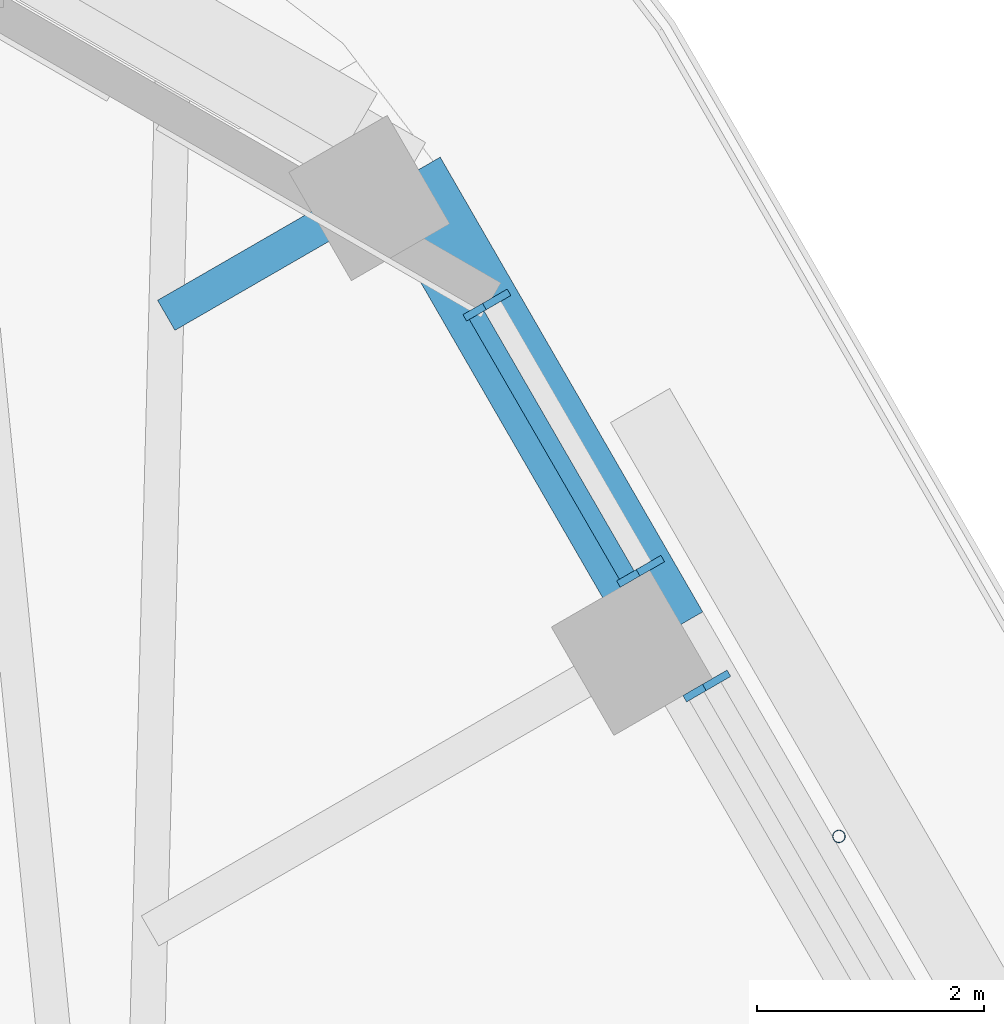
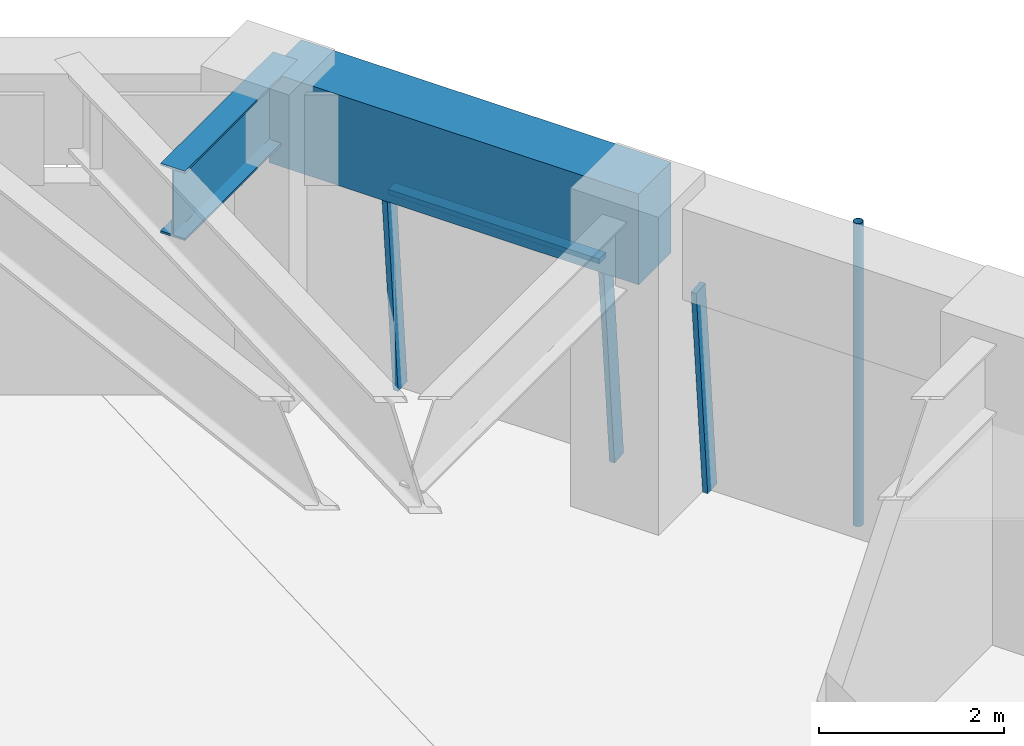
# One storey, part 12 of 20: 5 members, 2 beams, 2 elements without a shape of their own.
"""IFC4 building model written with IfcOpenShell, lengths in metres."""

from ifc_helpers import new_model, si_unit, direction, frame, origin, origin_2d, place, context, subcontext, project, spatial, rectangle, hollow_circle, i_section, extrude, material, material_profile, profile_set, type_object, element, aggregate, save


model = new_model("IFC4")

# Units and contexts
model_context = context("Model", 3, precision=1e-05, world=origin(), true_north=direction((0.0, 1.0)))
body_context = subcontext(model_context, "Body", "Model", "MODEL_VIEW")
ifc_project = project(units=[si_unit("LENGTHUNIT", "METRE"), si_unit("AREAUNIT", "SQUARE_METRE"), si_unit("VOLUMEUNIT", "CUBIC_METRE"), si_unit("PLANEANGLEUNIT", "RADIAN"), si_unit("MASSUNIT", "GRAM", prefix="KILO")], contexts=[model_context])

# Site, building, storey
site_placement = place(None, origin())
site = spatial("IfcSite", under=ifc_project, at=site_placement, CompositionType="ELEMENT")
building_placement = place(site_placement, origin())
building = spatial("IfcBuilding", under=site, at=building_placement, Name="Tarfa Lantern Tower", CompositionType="ELEMENT")
storey_placement = place(building_placement, frame((0.0, 0.0, 278.5)))
storey = spatial("IfcBuildingStorey", under=building, at=storey_placement, Name="L63", CompositionType="ELEMENT", Elevation=278.5)

# Curtain wall, member
ifc_material_1 = material(Name="Aluminium framed curtain wall", Category="aluminium")
curtain_wall_type = type_object("IfcCurtainWallType", Name="CW3 CANTED GLAZING HIGH ZONE 2800", PredefinedType="USERDEFINED", material=ifc_material_1)
curtain_wall_1_placement = place(storey_placement, origin())
curtain_wall_1 = element("IfcCurtainWall", 1, at=curtain_wall_1_placement, inside=storey, type_object=curtain_wall_type, Name="CW3 NE L63", ObjectType="CURTAIN WALL", PredefinedType="USERDEFINED")
ifc_material_2 = material(Name="Aluminium mullion", Category="aluminium")
ifc_material_profile_1 = material_profile(ifc_material_2, rectangle(XDim=0.06494140625, YDim=0.199951171875, at=origin_2d()), Name="AL MULLION 65x200")
ifc_profile_set_1 = profile_set([ifc_material_profile_1], Name="Aluminium mullion")
member_type_1 = type_object("IfcMemberType", Name="CWM1 MULLION 65x200", PredefinedType="MULLION", material=ifc_profile_set_1)
member_1_placement = place(storey_placement, frame((20.70068359375, 21.945556640625, 0.0), z_axis=(-0.077032386753, -0.044465143199, 0.996036576854), x_axis=(0.499919672301, -0.866071776036, 0.0)))
member_1 = element("IfcMember", 2, at=member_1_placement, type_object=member_type_1, Name="CW3 mullion 2", PredefinedType="MULLION", context=body_context, shape_type="SweptSolid", body=[
    extrude(rectangle(XDim=0.06494140625, YDim=0.199951171875, at=origin_2d()), origin(), (0.0, 0.0, 1.0), 2.811279296875),
])
aggregate(curtain_wall_1, [member_1])

# Curtain wall, members
curtain_wall_2_placement = place(storey_placement, origin())
curtain_wall_2 = element("IfcCurtainWall", 3, at=curtain_wall_2_placement, inside=storey, type_object=curtain_wall_type, Name="CW3 NE L63", ObjectType="CURTAIN WALL", PredefinedType="USERDEFINED")
member_2_placement = place(storey_placement, frame((20.1181640625, 22.954345703125, 0.0), z_axis=(-0.077032386753, -0.044465143199, 0.996036576854), x_axis=(0.499919672301, -0.866071776036, 0.0)))
member_2 = element("IfcMember", 4, at=member_2_placement, type_object=member_type_1, Name="CW3 mullion 1", PredefinedType="MULLION", context=body_context, shape_type="SweptSolid", body=[
    extrude(rectangle(XDim=0.06494140625, YDim=0.199951171875, at=origin_2d()), origin(), (0.0, 0.0, 1.0), 2.811279296875),
])
member_3_placement = place(storey_placement, frame((18.76611328125, 25.296142578125, 0.0), z_axis=(-0.077032386753, -0.044465143199, 0.996036576854), x_axis=(0.499919672301, -0.866071776036, 0.0)))
member_3 = element("IfcMember", 5, at=member_3_placement, type_object=member_type_1, Name="CW3 mullion 2", PredefinedType="MULLION", context=body_context, shape_type="SweptSolid", body=[
    extrude(rectangle(XDim=0.06494140625, YDim=0.199951171875, at=origin_2d()), origin(), (0.0, 0.0, 1.0), 2.811279296875),
])
ifc_material_3 = material(Name="Aluminium transom", Category="aluminium")
ifc_material_profile_2 = material_profile(ifc_material_3, rectangle(XDim=0.14990234375, YDim=0.06494140625, at=origin_2d()), Name="AL TRANSOM 150x65")
ifc_profile_set_2 = profile_set([ifc_material_profile_2], Name="Aluminium transom")
member_type_2 = type_object("IfcMemberType", Name="CWT1 TRANSOM 150x65", PredefinedType="USERDEFINED", material=ifc_profile_set_2)
member_4_placement = place(storey_placement, frame((19.887939453125, 22.859130859375, 2.767578125), z_axis=(-0.50006949096, 0.865985279442, 0.0), x_axis=(-0.865985279442, -0.50006949096, 0.0)))
member_4 = element("IfcMember", 6, at=member_4_placement, type_object=member_type_2, Name="CW3 transom 1.2", ObjectType="TRANSOM", PredefinedType="USERDEFINED", context=body_context, shape_type="SweptSolid", body=[
    extrude(rectangle(XDim=0.14990234375, YDim=0.06494140625, at=origin_2d()), origin(), (0.0, 0.0, 1.0), 2.638671875),
])
aggregate(curtain_wall_2, [member_2, member_3, member_4])

# Beam
ifc_material_4 = material(Name="Concrete C80/95", Category="concrete")
ifc_material_profile_3 = material_profile(ifc_material_4, rectangle(XDim=0.699951171875, YDim=1.199951171875, at=origin_2d()), Name="RC 700x1200")
ifc_profile_set_3 = profile_set([ifc_material_profile_3], Name="Concrete C80/95")
beam_type_1 = type_object("IfcBeamType", Name="EB3 RC 700x1200", PredefinedType="SPANDREL", material=ifc_profile_set_3)
beam_1_placement = place(storey_placement, frame((20.25341796875, 22.360107421875, 3.39990234375), z_axis=(-0.499987836815, 0.866032426089, 0.0), x_axis=(-0.866032426089, -0.499987836815, 0.0)))
element("IfcBeam", 7, at=beam_1_placement, inside=storey, type_object=beam_type_1, Name="Edge beam NE5", PredefinedType="SPANDREL", context=body_context, shape_type="SweptSolid", body=[
    extrude(rectangle(XDim=0.699951171875, YDim=1.199951171875, at=origin_2d()), origin(), (0.0, 0.0, 1.0), 4.61865234375),
])

# Member
ifc_material_5 = material(Name="Steel S355", Category="steel")
ifc_material_profile_4 = material_profile(ifc_material_5, hollow_circle(Radius=0.05712890625, WallThickness=0.00634765625, at=origin_2d()), Name="CHS114.3x6.3")
ifc_profile_set_4 = profile_set([ifc_material_profile_4], Name="Steel S355")
member_type_3 = type_object("IfcMemberType", Name="TR1 GREEN WALL TRELLIS CHS114.3x6.3", PredefinedType="USERDEFINED", material=ifc_profile_set_4)
member_5_placement = place(storey_placement, frame((21.754638671875, 20.56005859375, 0.0), z_axis=(0.0, 0.0, 1.0), x_axis=(1.0, 0.0, 0.0)))
element("IfcMember", 8, at=member_5_placement, inside=storey, type_object=member_type_3, Name="Trellis post NE 2", ObjectType="TRELLIS", PredefinedType="USERDEFINED", context=body_context, shape_type="SweptSolid", body=[
    extrude(hollow_circle(Radius=0.05712890625, WallThickness=0.00634765625, at=origin_2d()), origin(), (0.0, 0.0, 1.0), 4.0),
])

# Beam
ifc_material_6 = material(Name="Steel S460M", Category="steel")
ifc_material_profile_5 = material_profile(ifc_material_6, i_section(OverallWidth=0.305419921875, OverallDepth=0.91845703125, WebThickness=0.017333984375, FlangeThickness=0.02783203125, FilletRadius=0.01904296875, at=origin_2d()), Name="UB914x305x253")
ifc_profile_set_5 = profile_set([ifc_material_profile_5], Name="Steel S460M")
beam_type_2 = type_object("IfcBeamType", Name="UB914x305x253", PredefinedType="BEAM", material=ifc_profile_set_5)
beam_2_placement = place(storey_placement, frame((17.944091796875, 26.360107421875, 3.540771484375), z_axis=(-0.865980009423, -0.5000786171, 0.0), x_axis=(0.5000786171, -0.865980009423, 0.0)))
element("IfcBeam", 9, at=beam_2_placement, inside=storey, type_object=beam_type_2, Name="Floor beam NE6", PredefinedType="BEAM", context=body_context, shape_type="SweptSolid", body=[
    extrude(i_section(OverallWidth=0.305419921875, OverallDepth=0.91845703125, WebThickness=0.017333984375, FlangeThickness=0.02783203125, FilletRadius=0.01904296875, at=origin_2d()), origin(), (0.0, 0.0, 1.0), 2.4326171875),
])

save(model, "model.ifc")
